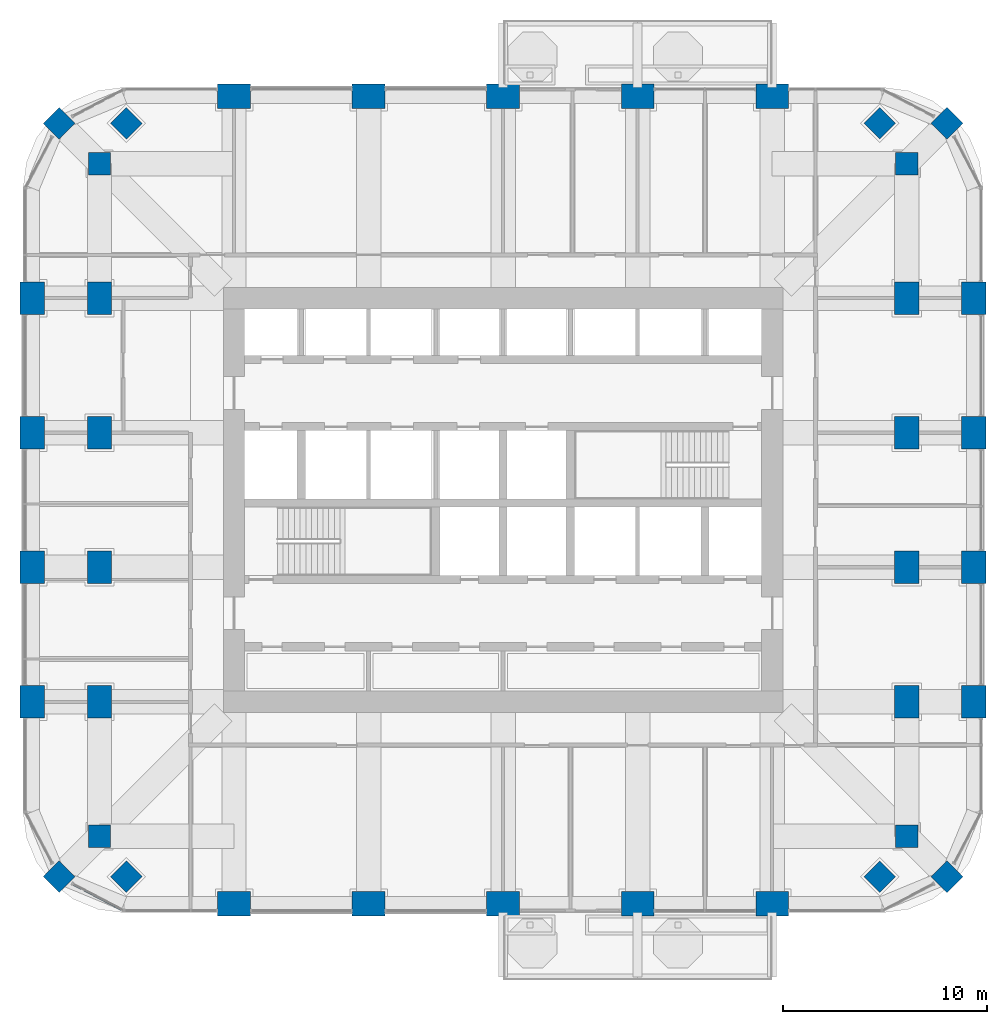
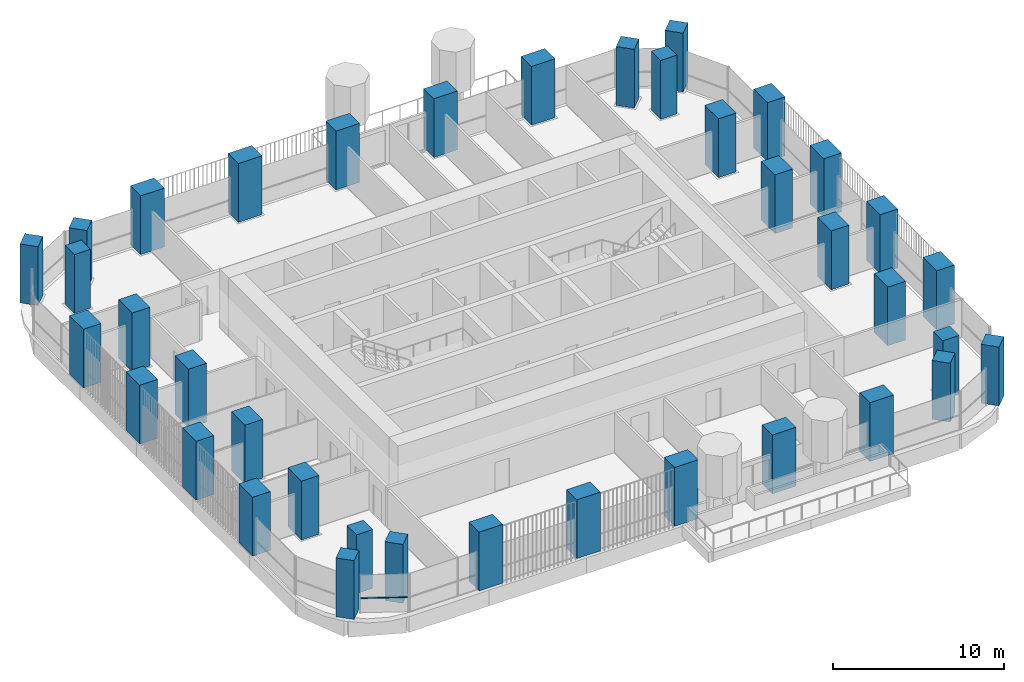
# One storey, part 1 of 19: 38 columns, 1 member, 1 element without a shape of its own.
"""IFC4 building model written with IfcOpenShell, lengths in metres."""

import ifcopenshell
import ifcopenshell.guid

model = None  # the IFC model being written
_history = None  # IfcOwnerHistory: only IFC2X3 demands one
_inside = {}  # id of a spatial element -> (the spatial element, [elements in it])
_under = {}  # id of a project, library or spatial element -> (it, [spatial elements below it])
_declared = {}  # id of a project -> (the project, [libraries it declares])
_typed = {}  # id of a type object -> (the type object, [elements of that type])
_made_of = {}  # id of a material, layer set ... -> (it, [elements and type objects made of it])


def new_model(schema):
    """Start an empty IFC model of exactly this schema.

    Asked for "IFC4X3", IfcOpenShell would pick the latest addendum, in which some entities
    have other attributes; the version numbers below select the first issue.
    IFC2X3 requires an IfcOwnerHistory on every rooted entity: one is made here for all.
    """
    global model, _history
    if schema == "IFC4X3":
        model = ifcopenshell.file(schema_version=(4, 3, 0, 0))
    else:
        model = ifcopenshell.file(schema=schema)
    _inside.clear()
    _under.clear()
    _declared.clear()
    _typed.clear()
    _made_of.clear()
    _history = None
    if model.schema == "IFC2X3":
        org = make("IfcOrganization", Name="unknown")
        user = make(
            "IfcPersonAndOrganization",
            ThePerson=make("IfcPerson", FamilyName="unknown"),
            TheOrganization=org,
        )
        app = make(
            "IfcApplication",
            ApplicationDeveloper=org,
            Version="unknown",
            ApplicationFullName="unknown",
            ApplicationIdentifier="unknown",
        )
        _history = make(
            "IfcOwnerHistory",
            OwningUser=user,
            OwningApplication=app,
            ChangeAction="ADDED",
            CreationDate=0,
        )
    return model


def make(cls, **values):
    """One entity of the class cls with the attributes given. An attribute that is None is left unset."""
    return model.create_entity(
        cls, **{name: value for name, value in values.items() if value is not None}
    )


def rooted(cls, **values):
    """An entity with a GlobalId (a new one), such as an element, a storey or a relation."""
    return make(cls, GlobalId=ifcopenshell.guid.new(), OwnerHistory=_history, **values)


def si_unit(unit_type, name, prefix=None):
    """IfcSIUnit, for example si_unit("LENGTHUNIT", "METRE", prefix="MILLI")."""
    return make("IfcSIUnit", UnitType=unit_type, Prefix=prefix, Name=name)


def assignment(units):
    """IfcUnitAssignment: the units of a project."""
    return None if units is None else make("IfcUnitAssignment", Units=units)


def point(xyz):
    """IfcCartesianPoint."""
    return None if xyz is None else make("IfcCartesianPoint", Coordinates=xyz)


def direction(xyz):
    """IfcDirection."""
    return None if xyz is None else make("IfcDirection", DirectionRatios=xyz)


def frame(location, z_axis=None, x_axis=None):
    """IfcAxis2Placement3D, a coordinate frame: its origin and axes. An axis left out is left unset."""
    return make(
        "IfcAxis2Placement3D",
        Location=point(location),
        Axis=direction(z_axis),
        RefDirection=direction(x_axis),
    )


def frame_2d(location, x_axis=None):
    """IfcAxis2Placement2D, a coordinate frame in the plane: its origin and x axis."""
    return make(
        "IfcAxis2Placement2D", Location=point(location), RefDirection=direction(x_axis)
    )


def origin():
    """The frame at (0, 0, 0) with its axes left unset."""
    return frame((0.0, 0.0, 0.0))


def origin_2d():
    """The frame at (0, 0) in the plane with its x axis left unset."""
    return frame_2d((0.0, 0.0))


def place(relative_to, where):
    """IfcLocalPlacement: puts the frame where relative to a parent placement (None: the world)."""
    return make(
        "IfcLocalPlacement", PlacementRelTo=relative_to, RelativePlacement=where
    )


def context(
    kind, dimensions, precision=None, world=None, true_north=None, identifier=None
):
    """IfcGeometricRepresentationContext, for example the 3D "Model" context."""
    return make(
        "IfcGeometricRepresentationContext",
        ContextIdentifier=identifier,
        ContextType=kind,
        CoordinateSpaceDimension=dimensions,
        Precision=precision,
        WorldCoordinateSystem=world,
        TrueNorth=true_north,
    )


def subcontext(parent, identifier, kind, view, scale=None):
    """IfcGeometricRepresentationSubContext, for example "Body" below "Model"."""
    return make(
        "IfcGeometricRepresentationSubContext",
        ContextIdentifier=identifier,
        ContextType=kind,
        ParentContext=parent,
        TargetScale=scale,
        TargetView=view,
    )


def project(units=None, contexts=None):
    """IfcProject with its units and contexts."""
    return rooted(
        "IfcProject",
        Name="project",
        RepresentationContexts=contexts,
        UnitsInContext=assignment(units),
    )


def spatial(cls, under=None, at=None, **own):
    """A site, building, storey or space (cls), placed at a placement, below another one or the project."""
    s = rooted(cls, ObjectPlacement=at, **own)
    if under is not None:
        _under.setdefault(under.id(), (under, []))[1].append(s)
    return s


def profile(cls, at=None, kind="AREA", **sizes):
    """A parametric profile (cls). Its sizes go by their IFC names, for example OverallWidth=200.0."""
    return make(cls, ProfileType=kind, Position=at, **sizes)


def rectangle(**sizes):
    """IfcRectangleProfileDef."""
    return profile("IfcRectangleProfileDef", **sizes)


def extrude(swept, where, along, depth):
    """IfcExtrudedAreaSolid: the profile swept, set in the frame where, extruded along a direction by depth."""
    return make(
        "IfcExtrudedAreaSolid",
        SweptArea=swept,
        Position=where,
        ExtrudedDirection=direction(along),
        Depth=depth,
    )


def shape(context_of_items, identifier, shape_type, items):
    """IfcShapeRepresentation: the items that make up one representation, for example the "Body"."""
    return make(
        "IfcShapeRepresentation",
        ContextOfItems=context_of_items,
        RepresentationIdentifier=identifier,
        RepresentationType=shape_type,
        Items=items,
    )


def material(Name=None, Category=None):
    """IfcMaterial."""
    return make("IfcMaterial", Name=Name, Category=Category)


def material_profile(
    of_material, cross_section, Name=None, Category=None, Priority=None
):
    """IfcMaterialProfile: a cross section and its material."""
    return make(
        "IfcMaterialProfile",
        Name=Name,
        Material=of_material,
        Profile=cross_section,
        Priority=Priority,
        Category=Category,
    )


def profile_set(profiles, Name=None, composite=None):
    """IfcMaterialProfileSet."""
    return make(
        "IfcMaterialProfileSet",
        Name=Name,
        MaterialProfiles=profiles,
        CompositeProfile=composite,
    )


def made_of(thing, what):
    """Note that an element or type object is made of a material, layer set ...; save() writes the relation."""
    if what is not None:
        _made_of.setdefault(what.id(), (what, []))[1].append(thing)
    return thing


def type_object(cls, material=None, **own):
    """A type object (cls), such as IfcWallType, which elements share."""
    return made_of(rooted(cls, **own), material)


def element(
    cls,
    number,
    at=None,
    inside=None,
    cuts=None,
    type_object=None,
    material=None,
    context=None,
    identifier="Body",
    shape_type=None,
    held_by="IfcProductDefinitionShape",
    body=None,
    shapes=None,
    **own,
):
    """One element of the class cls, such as IfcWall. Its Tag is "e" and its number.

    at: its placement. inside: the storey or other place that contains it. cuts: it is an
    opening in that element (IfcRelVoidsElement). A single representation is given by context,
    identifier, shape_type and body (its items); several are given by shapes. held_by: the class
    of the entity that holds the representations. save() writes the other relations.
    """
    e = rooted(cls, Tag="e%d" % number, ObjectPlacement=at, **own)
    if body is not None:
        shapes = [shape(context, identifier, shape_type, body)]
    if shapes is not None:
        e.Representation = make(held_by, Representations=shapes)
    if inside is not None:
        _inside.setdefault(inside.id(), (inside, []))[1].append(e)
    if cuts is not None:
        rooted(
            "IfcRelVoidsElement", RelatingBuildingElement=cuts, RelatedOpeningElement=e
        )
    if type_object is not None:
        _typed.setdefault(type_object.id(), (type_object, []))[1].append(e)
    return made_of(e, material)


def aggregate(whole, parts):
    """IfcRelAggregates: a whole, such as a stair, and the parts it consists of."""
    return rooted("IfcRelAggregates", RelatingObject=whole, RelatedObjects=parts)


def save(model, path):
    """Write the relations noted so far, then the file.

    IfcRelAggregates (storeys below a building ...), IfcRelContainedInSpatialStructure (elements
    in a storey), IfcRelDefinesByType, IfcRelAssociatesMaterial and IfcRelDeclares: one each for
    every whole, place, type object, material and project.
    """
    for whole, parts in _under.values():
        aggregate(whole, parts)
    for where, things in _inside.values():
        rooted(
            "IfcRelContainedInSpatialStructure",
            RelatedElements=things,
            RelatingStructure=where,
        )
    for kind, things in _typed.values():
        rooted("IfcRelDefinesByType", RelatedObjects=things, RelatingType=kind)
    for what, things in _made_of.values():
        rooted("IfcRelAssociatesMaterial", RelatedObjects=things, RelatingMaterial=what)
    for by, libraries in _declared.values():
        rooted("IfcRelDeclares", RelatingContext=by, RelatedDefinitions=libraries)
    model.write(path)


model = new_model("IFC4")

# Units and contexts
model_context = context("Model", 3, precision=1e-05, world=origin(), true_north=direction((0.0, 1.0)))
body_context = subcontext(model_context, "Body", "Model", "MODEL_VIEW")
ifc_project = project(units=[si_unit("LENGTHUNIT", "METRE"), si_unit("AREAUNIT", "SQUARE_METRE"), si_unit("VOLUMEUNIT", "CUBIC_METRE"), si_unit("PLANEANGLEUNIT", "RADIAN"), si_unit("MASSUNIT", "GRAM", prefix="KILO")], contexts=[model_context])

# Site, building, storey
site_placement = place(None, origin())
site = spatial("IfcSite", under=ifc_project, at=site_placement, CompositionType="ELEMENT")
building_placement = place(site_placement, origin())
building = spatial("IfcBuilding", under=site, at=building_placement, Name="Cobogo Forest Laboratory Tower", CompositionType="ELEMENT")
storey_placement = place(building_placement, frame((0.0, 0.0, 172.5)))
storey = spatial("IfcBuildingStorey", under=building, at=storey_placement, Name="L39", CompositionType="ELEMENT", Elevation=172.5)

# Columns
ifc_material_1 = material(Name="Concrete HA-50 (C50/60)", Category="concrete")
ifc_material_profile_1 = material_profile(ifc_material_1, rectangle(XDim=1.60009765625, YDim=1.199951171875, at=origin_2d()), Name="RC 1200x1600")
ifc_profile_set_1 = profile_set([ifc_material_profile_1], Name="Concrete HA-50 (C50/60)")
column_type_1 = type_object("IfcColumnType", Name="Blade column 1200x1600", PredefinedType="COLUMN", material=ifc_profile_set_1)
for number, where, z_axis, x_axis, name in (
    (1, (13.199951171875, 3.300048828125, 0.0), (0.0, 0.0, 1.0), (1.0, 0.0, 0.0), "Column 3-A.1 L39"),
    (2, (19.800048828125, 3.300048828125, 0.0), (0.0, 0.0, 1.0), (1.0, 0.0, 0.0), "Column 4-A.1 L39"),
    (3, (26.39990234375, 3.300048828125, 0.0), (0.0, 0.0, 1.0), (1.0, 0.0, 0.0), "Column 5-A.1 L39"),
    (4, (33.0, 3.300048828125, 0.0), (0.0, 0.0, 1.0), (1.0, 0.0, 0.0), "Column 6-A.1 L39"),
    (5, (39.60009765625, 3.300048828125, 0.0), (0.0, 0.0, 1.0), (1.0, 0.0, 0.0), "Column 7-A.1 L39"),
    (6, (3.300048828125, 13.199951171875, 0.0), (0.0, 0.0, 1.0), (0.0, 1.0, 0.0), "Column 1.1-C L39"),
    (7, (49.5, 13.199951171875, 0.0), (0.0, 0.0, 1.0), (0.0, 1.0, 0.0), "Column 8.1-C L39"),
    (8, (3.300048828125, 19.800048828125, 0.0), (0.0, 0.0, 1.0), (0.0, 1.0, 0.0), "Column 1.1-D L39"),
    (9, (49.5, 19.800048828125, 0.0), (0.0, 0.0, 1.0), (0.0, 1.0, 0.0), "Column 8.1-D L39"),
    (10, (3.300048828125, 26.39990234375, 0.0), (0.0, 0.0, 1.0), (0.0, 1.0, 0.0), "Column 1.1-E L39"),
    (11, (49.5, 26.39990234375, 0.0), (0.0, 0.0, 1.0), (0.0, 1.0, 0.0), "Column 8.1-E L39"),
    (12, (3.300048828125, 33.0, 0.0), (0.0, 0.0, 1.0), (0.0, 1.0, 0.0), "Column 1.1-F L39"),
    (13, (49.5, 33.0, 0.0), (0.0, 0.0, 1.0), (0.0, 1.0, 0.0), "Column 8.1-F L39"),
    (14, (13.199951171875, 42.89990234375, 0.0), (0.0, 0.0, 1.0), (1.0, 0.0, 0.0), "Column 3-G.1 L39"),
    (15, (19.800048828125, 42.89990234375, 0.0), (0.0, 0.0, 1.0), (1.0, 0.0, 0.0), "Column 4-G.1 L39"),
    (16, (26.39990234375, 42.89990234375, 0.0), (0.0, 0.0, 1.0), (1.0, 0.0, 0.0), "Column 5-G.1 L39"),
    (17, (33.0, 42.89990234375, 0.0), (0.0, 0.0, 1.0), (1.0, 0.0, 0.0), "Column 6-G.1 L39"),
    (18, (39.60009765625, 42.89990234375, 0.0), (0.0, 0.0, 1.0), (1.0, 0.0, 0.0), "Column 7-G.1 L39"),
    (19, (6.60009765625, 13.199951171875, 0.0), (0.0, 0.0, 1.0), (0.0, 1.0, 0.0), "Column 2-C-D L39"),
    (20, (46.199951171875, 13.199951171875, 0.0), (0.0, 0.0, 1.0), (0.0, 1.0, 0.0), "Column 8-C-D L39"),
    (21, (6.60009765625, 19.800048828125, 0.0), (0.0, 0.0, 1.0), (0.0, 1.0, 0.0), "Column 2-D-D L39"),
    (22, (46.199951171875, 19.800048828125, 0.0), (0.0, 0.0, 1.0), (0.0, 1.0, 0.0), "Column 8-D-D L39"),
    (23, (6.60009765625, 26.39990234375, 0.0), (0.0, 0.0, 1.0), (0.0, 1.0, 0.0), "Column 2-E-D L39"),
    (24, (46.199951171875, 26.39990234375, 0.0), (0.0, 0.0, 1.0), (0.0, 1.0, 0.0), "Column 8-E-D L39"),
    (25, (6.60009765625, 33.0, 0.0), (0.0, 0.0, 1.0), (0.0, 1.0, 0.0), "Column 2-F-D L39"),
    (26, (46.199951171875, 33.0, 0.0), (0.0, 0.0, 1.0), (0.0, 1.0, 0.0), "Column 8-F-D L39"),
):
    element("IfcColumn", number, at=place(storey_placement, frame(where, z_axis=z_axis, x_axis=x_axis)), inside=storey, type_object=column_type_1, Name=name, PredefinedType="COLUMN", context=body_context, shape_type="SweptSolid", body=[
        extrude(rectangle(XDim=1.60009765625, YDim=1.199951171875, at=origin_2d()), origin(), (0.0, 0.0, 1.0), 4.199951171875),
    ])
ifc_material_profile_2 = material_profile(ifc_material_1, rectangle(XDim=1.10009765625, YDim=1.10009765625, at=origin_2d()), Name="RC 1100x1100")
ifc_profile_set_2 = profile_set([ifc_material_profile_2], Name="Concrete HA-50 (C50/60)")
column_type_2 = type_object("IfcColumnType", Name="Column 1100x1100", PredefinedType="COLUMN", material=ifc_profile_set_2)
for number, where, z_axis, x_axis, name in (
    (27, (4.617919921875, 4.617919921875, 0.0), (0.0, 0.0, 1.0), (0.707106781187, 0.707106781187, 0.0), "Column CNR-SW L39"),
    (28, (48.181884765625, 4.617919921875, 0.0), (0.0, 0.0, 1.0), (0.707106781187, 0.707106781187, 0.0), "Column CNR-SE L39"),
    (29, (4.617919921875, 41.58203125, 0.0), (0.0, 0.0, 1.0), (0.707106781187, 0.707106781187, 0.0), "Column CNR-NW L39"),
    (30, (48.181884765625, 41.58203125, 0.0), (0.0, 0.0, 1.0), (0.707106781187, 0.707106781187, 0.0), "Column CNR-NE L39"),
    (31, (6.60009765625, 6.60009765625, 0.0), (0.0, 0.0, 1.0), (1.0, 0.0, 0.0), "Column 2-B L39"),
    (32, (46.199951171875, 6.60009765625, 0.0), (0.0, 0.0, 1.0), (1.0, 0.0, 0.0), "Column 8-B L39"),
    (33, (6.60009765625, 39.60009765625, 0.0), (0.0, 0.0, 1.0), (1.0, 0.0, 0.0), "Column 2-G L39"),
    (34, (46.199951171875, 39.60009765625, 0.0), (0.0, 0.0, 1.0), (1.0, 0.0, 0.0), "Column 8-G L39"),
    (35, (7.91796875, 4.617919921875, 0.0), (0.0, 0.0, 1.0), (0.707106781187, 0.707106781187, 0.0), "Column CNR-SW-D L39"),
    (36, (44.882080078125, 4.617919921875, 0.0), (0.0, 0.0, 1.0), (0.707106781187, 0.707106781187, 0.0), "Column CNR-SE-D L39"),
    (37, (7.91796875, 41.58203125, 0.0), (0.0, 0.0, 1.0), (0.707106781187, 0.707106781187, 0.0), "Column CNR-NW-D L39"),
    (38, (44.882080078125, 41.58203125, 0.0), (0.0, 0.0, 1.0), (0.707106781187, 0.707106781187, 0.0), "Column CNR-NE-D L39"),
):
    element("IfcColumn", number, at=place(storey_placement, frame(where, z_axis=z_axis, x_axis=x_axis)), inside=storey, type_object=column_type_2, Name=name, PredefinedType="COLUMN", context=body_context, shape_type="SweptSolid", body=[
        extrude(rectangle(XDim=1.10009765625, YDim=1.10009765625, at=origin_2d()), origin(), (0.0, 0.0, 1.0), 4.199951171875),
    ])

# Curtain wall, member
ifc_material_2 = material(Name="Aluminium curtain wall", Category="aluminium")
curtain_wall_type = type_object("IfcCurtainWallType", Name="CW-2 unitised curtain wall, solar control glazing, laboratory floors zones C and D", PredefinedType="USERDEFINED", material=ifc_material_2)
curtain_wall_placement = place(storey_placement, origin())
curtain_wall = element("IfcCurtainWall", 39, at=curtain_wall_placement, inside=storey, type_object=curtain_wall_type, Name="Curtain wall 30 L39", ObjectType="UNITISED CURTAIN WALL", PredefinedType="USERDEFINED")
ifc_material_3 = material(Name="Aluminium transom", Category="aluminium")
ifc_material_profile_3 = material_profile(ifc_material_3, rectangle(XDim=0.1201171875, YDim=0.06005859375, at=origin_2d()), Name="AL 60x120")
ifc_profile_set_3 = profile_set([ifc_material_profile_3], Name="Aluminium transom")
member_type = type_object("IfcMemberType", Name="TR-1 aluminium transom 60x120", PredefinedType="USERDEFINED", material=ifc_profile_set_3)
member_placement = place(storey_placement, frame((5.302001953125, 4.259521484375, 1.050048828125), z_axis=(0.885665294301, -0.464324225592, 0.0), x_axis=(0.464324225592, 0.885665294301, 0.0)))
member = element("IfcMember", 40, at=member_placement, type_object=member_type, Name="CW-2 transom 1.1", ObjectType="TRANSOM", PredefinedType="USERDEFINED", context=body_context, shape_type="SweptSolid", body=[
    extrude(rectangle(XDim=0.1201171875, YDim=0.06005859375, at=origin_2d()), origin(), (0.0, 0.0, 1.0), 2.760498046875),
])
aggregate(curtain_wall, [member])

save(model, "model.ifc")
